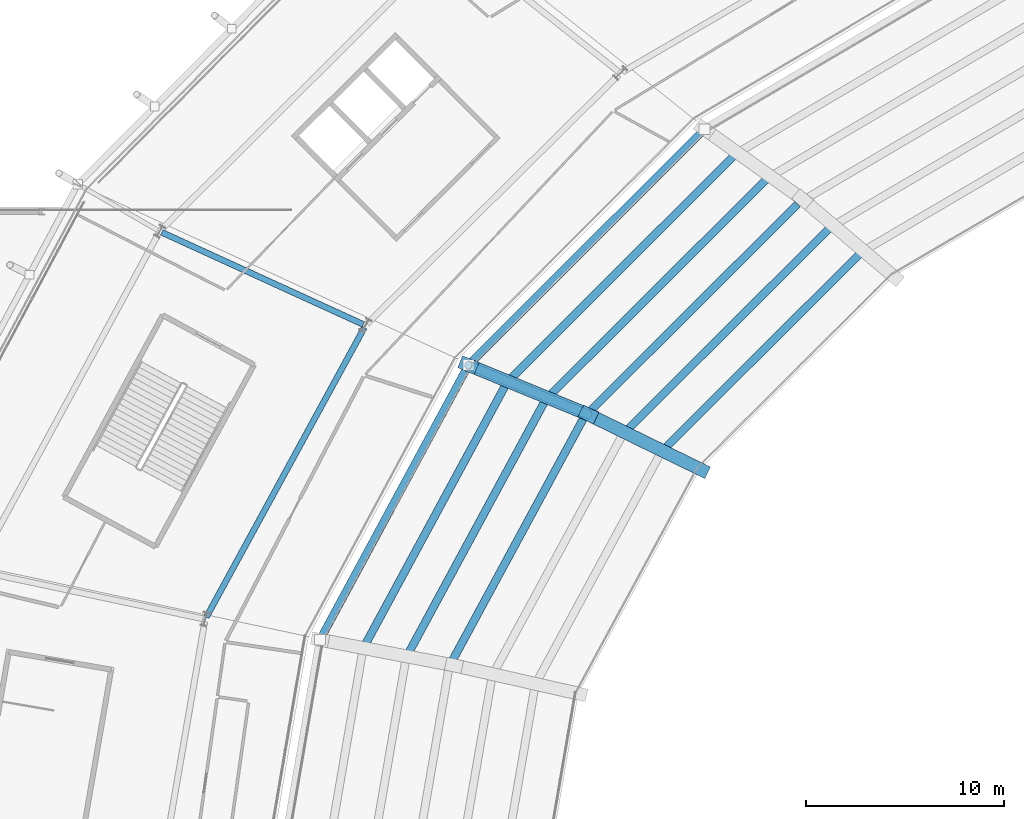
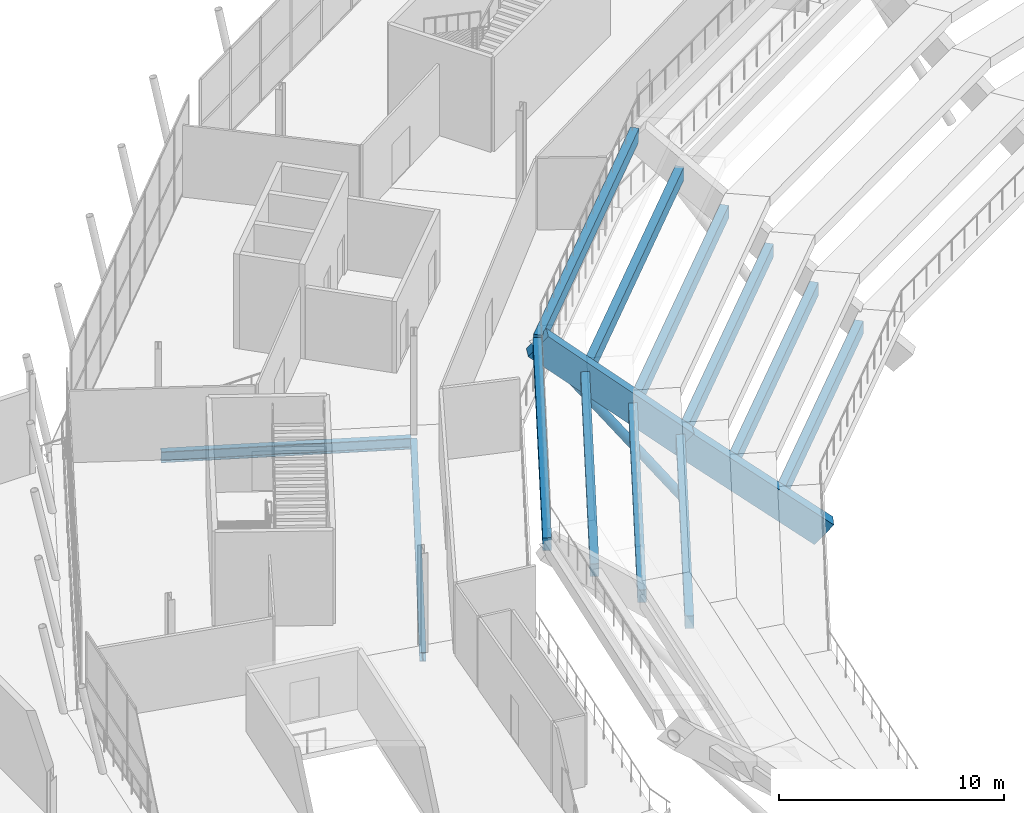
# One storey, part 32 of 126: 14 beams, 1 member.
"""IFC4 building model written with IfcOpenShell, lengths in metres."""

from ifc_helpers import new_model, si_unit, direction, frame, origin, origin_2d, place, context, subcontext, project, spatial, rectangle, hollow_circle, i_section, extrude, material, material_profile, profile_set, type_object, element, save


model = new_model("IFC4")

# Units and contexts
model_context = context("Model", 3, precision=1e-05, world=origin(), true_north=direction((0.0, 1.0)))
body_context = subcontext(model_context, "Body", "Model", "MODEL_VIEW")
ifc_project = project(units=[si_unit("LENGTHUNIT", "METRE"), si_unit("AREAUNIT", "SQUARE_METRE"), si_unit("VOLUMEUNIT", "CUBIC_METRE"), si_unit("PLANEANGLEUNIT", "RADIAN"), si_unit("MASSUNIT", "GRAM", prefix="KILO")], contexts=[model_context])

# Site, building, storey
site_placement = place(None, origin())
site = spatial("IfcSite", under=ifc_project, at=site_placement, CompositionType="ELEMENT")
building_placement = place(site_placement, origin())
building = spatial("IfcBuilding", under=site, at=building_placement, Name="Zlatoyarsky Gate Stadium", CompositionType="ELEMENT")
storey_placement = place(building_placement, frame((0.0, 0.0, 20.800048828125)))
storey = spatial("IfcBuildingStorey", under=building, at=storey_placement, Name="L04", CompositionType="ELEMENT", Elevation=20.800048828125)

# Beams
ifc_material_1 = material(Name="Concrete C40/50", Category="concrete")
ifc_material_profile_1 = material_profile(ifc_material_1, rectangle(XDim=0.39990234375, YDim=0.699951171875, at=origin_2d()), Name="RC BEAM 400X700")
ifc_profile_set_1 = profile_set([ifc_material_profile_1], Name="Concrete C40/50")
beam_type_1 = type_object("IfcBeamType", Name="CONCRETE FLOOR BEAM 400X700", PredefinedType="BEAM", material=ifc_profile_set_1)
beam_1_placement = place(storey_placement, frame((65.85107421875, 114.40087890625, -5.31005859375), z_axis=(-0.708308892536, -0.705902622714, 0.0), x_axis=(0.705902622714, -0.708308892536, 0.0)))
element("IfcBeam", 1, at=beam_1_placement, inside=storey, type_object=beam_type_1, Name="Upper bowl step tie beam 09.1", PredefinedType="BEAM", context=body_context, shape_type="SweptSolid", body=[
    extrude(rectangle(XDim=0.39990234375, YDim=0.699951171875, at=origin_2d()), origin(), (0.0, 0.0, 1.0), 14.10302734375),
])
beam_2_placement = place(storey_placement, frame((64.26025390625, 115.63818359375, -3.41015625), z_axis=(-0.708116890443, -0.706095226913, 0.0), x_axis=(0.706095226913, -0.708116890443, 0.0)))
element("IfcBeam", 2, at=beam_2_placement, inside=storey, type_object=beam_type_1, Name="Upper bowl step tie beam 09.2", PredefinedType="BEAM", context=body_context, shape_type="SweptSolid", body=[
    extrude(rectangle(XDim=0.39990234375, YDim=0.699951171875, at=origin_2d()), origin(), (0.0, 0.0, 1.0), 14.6123046875),
])
beam_3_placement = place(storey_placement, frame((62.669189453125, 116.875732421875, -1.510009765625), z_axis=(-0.707913593092, -0.706299047653, 0.0), x_axis=(0.706299047653, -0.707913593092, 0.0)))
element("IfcBeam", 3, at=beam_3_placement, inside=storey, type_object=beam_type_1, Name="Upper bowl step tie beam 09.3", PredefinedType="BEAM", context=body_context, shape_type="SweptSolid", body=[
    extrude(rectangle(XDim=0.39990234375, YDim=0.699951171875, at=origin_2d()), origin(), (0.0, 0.0, 1.0), 15.121337890625),
])
beam_4_placement = place(storey_placement, frame((61.078125, 118.11328125, 0.389892578125), z_axis=(-0.707723485707, -0.706489538336, 0.0), x_axis=(0.706489538336, -0.707723485707, 0.0)))
element("IfcBeam", 4, at=beam_4_placement, inside=storey, type_object=beam_type_1, Name="Upper bowl step tie beam 09.4", PredefinedType="BEAM", context=body_context, shape_type="SweptSolid", body=[
    extrude(rectangle(XDim=0.39990234375, YDim=0.699951171875, at=origin_2d()), origin(), (0.0, 0.0, 1.0), 15.63037109375),
])
beam_5_placement = place(storey_placement, frame((59.4873046875, 119.3505859375, 2.2900390625), z_axis=(-0.707575559386, -0.706637692003, 0.0), x_axis=(0.706637692003, -0.707575559386, 0.0)))
element("IfcBeam", 5, at=beam_5_placement, inside=storey, type_object=beam_type_1, Name="Upper bowl step tie beam 09.5", PredefinedType="BEAM", context=body_context, shape_type="SweptSolid", body=[
    extrude(rectangle(XDim=0.39990234375, YDim=0.699951171875, at=origin_2d()), origin(), (0.0, 0.0, 1.0), 16.139404296875),
])
beam_6_placement = place(storey_placement, frame((57.896240234375, 120.587890625, 4.18994140625), z_axis=(-0.707414668274, -0.706798759981, 0.0), x_axis=(0.706798759981, -0.707414668274, 0.0)))
element("IfcBeam", 6, at=beam_6_placement, inside=storey, type_object=beam_type_1, Name="Upper bowl step tie beam 09.6", PredefinedType="BEAM", context=body_context, shape_type="SweptSolid", body=[
    extrude(rectangle(XDim=0.39990234375, YDim=0.699951171875, at=origin_2d()), origin(), (0.0, 0.0, 1.0), 16.6484375),
])
beam_7_placement = place(storey_placement, frame((51.84619140625, 106.037109375, -1.510009765625), z_axis=(-0.475860004983, -0.879521037644, 0.0), x_axis=(0.879521037644, -0.475860004983, 0.0)))
element("IfcBeam", 7, at=beam_7_placement, inside=storey, type_object=beam_type_1, Name="Upper bowl step tie beam 10.3", PredefinedType="BEAM", context=body_context, shape_type="SweptSolid", body=[
    extrude(rectangle(XDim=0.39990234375, YDim=0.699951171875, at=origin_2d()), origin(), (0.0, 0.0, 1.0), 14.1279296875),
])
beam_8_placement = place(storey_placement, frame((49.897705078125, 106.912109375, 0.389892578125), z_axis=(-0.475685883609, -0.879615222774, 0.0), x_axis=(0.879615222774, -0.475685883609, 0.0)))
element("IfcBeam", 8, at=beam_8_placement, inside=storey, type_object=beam_type_1, Name="Upper bowl step tie beam 10.4", PredefinedType="BEAM", context=body_context, shape_type="SweptSolid", body=[
    extrude(rectangle(XDim=0.39990234375, YDim=0.699951171875, at=origin_2d()), origin(), (0.0, 0.0, 1.0), 14.606201171875),
])
beam_9_placement = place(storey_placement, frame((47.94921875, 107.787109375, 2.2900390625), z_axis=(-0.475497738566, -0.879716943464, 0.0), x_axis=(0.879716943464, -0.475497738566, 0.0)))
element("IfcBeam", 9, at=beam_9_placement, inside=storey, type_object=beam_type_1, Name="Upper bowl step tie beam 10.5", PredefinedType="BEAM", context=body_context, shape_type="SweptSolid", body=[
    extrude(rectangle(XDim=0.39990234375, YDim=0.699951171875, at=origin_2d()), origin(), (0.0, 0.0, 1.0), 15.08447265625),
])
beam_10_placement = place(storey_placement, frame((46.00048828125, 108.662109375, 4.18994140625), z_axis=(-0.475339838788, -0.879802271912, 0.0), x_axis=(0.879802271912, -0.475339838788, 0.0)))
element("IfcBeam", 10, at=beam_10_placement, inside=storey, type_object=beam_type_1, Name="Upper bowl step tie beam 10.6", PredefinedType="BEAM", context=body_context, shape_type="SweptSolid", body=[
    extrude(rectangle(XDim=0.39990234375, YDim=0.699951171875, at=origin_2d()), origin(), (0.0, 0.0, 1.0), 15.5625),
])
ifc_material_2 = material(Name="Precast concrete C40/50", Category="concrete")
ifc_material_profile_2 = material_profile(ifc_material_2, rectangle(XDim=0.64990234375, YDim=1.35009765625, at=origin_2d()), Name="PC RAKER 650X1350")
ifc_profile_set_2 = profile_set([ifc_material_profile_2], Name="Precast concrete C40/50")
beam_type_2 = type_object("IfcBeamType", Name="PRECAST UPPER BOWL RAKER 650X1350", PredefinedType="USERDEFINED", material=ifc_profile_set_2)
beam_11_placement = place(storey_placement, frame((57.739501953125, 103.5, -6.949951171875), z_axis=(-0.689759179281, 0.336966968618, 0.640847514358), x_axis=(-0.438948714008, -0.898512118154, 0.0)))
element("IfcBeam", 11, at=beam_11_placement, inside=storey, type_object=beam_type_2, Name="Upper bowl radial raker 10 inner", ObjectType="RAKER", PredefinedType="USERDEFINED", context=body_context, shape_type="SweptSolid", body=[
    extrude(rectangle(XDim=0.64990234375, YDim=1.35009765625, at=origin_2d()), origin(), (0.0, 0.0, 1.0), 8.1611328125),
])
beam_12_placement = place(storey_placement, frame((52.1103515625, 106.25, -1.719970703125), z_axis=(-0.686732303107, 0.283199983239, 0.669474804128), x_axis=(-0.381242231727, -0.92447518125, 0.0)))
element("IfcBeam", 12, at=beam_12_placement, inside=storey, type_object=beam_type_2, Name="Upper bowl radial raker 10 outer", ObjectType="RAKER", PredefinedType="USERDEFINED", context=body_context, shape_type="SweptSolid", body=[
    extrude(rectangle(XDim=0.64990234375, YDim=1.35009765625, at=origin_2d()), origin(), (0.0, 0.0, 1.0), 8.82763671875),
])

# Member
ifc_material_3 = material(Name="Steel S355", Category="steel")
ifc_material_profile_3 = material_profile(ifc_material_3, hollow_circle(Radius=0.228515625, WallThickness=0.02490234375, at=origin_2d()), Name="CHS 457X25")
ifc_profile_set_3 = profile_set([ifc_material_profile_3], Name="Steel S355")
member_type = type_object("IfcMemberType", Name="STEEL BACKSPAN TIE STRUT CHS 457X25", PredefinedType="STRUT", material=ifc_profile_set_3)
member_placement = place(storey_placement, frame((52.1103515625, 106.25, -4.85009765625), z_axis=(-0.542825884046, 0.223854740149, 0.809462238108), x_axis=(-0.381242231727, -0.92447518125, 0.0)))
element("IfcMember", 13, at=member_placement, inside=storey, type_object=member_type, Name="Upper tier outer raker prop strut 10", PredefinedType="STRUT", context=body_context, shape_type="SweptSolid", body=[
    extrude(hollow_circle(Radius=0.228515625, WallThickness=0.02490234375, at=origin_2d()), origin(), (0.0, 0.0, 1.0), 11.16796875),
])

# Beams
ifc_material_profile_4 = material_profile(ifc_material_3, i_section(OverallWidth=0.300048828125, OverallDepth=0.5, WebThickness=0.014404296875, FlangeThickness=0.028076171875, FilletRadius=0.027099609375, at=origin_2d()), Name="HEB 500")
ifc_profile_set_4 = profile_set([ifc_material_profile_4], Name="Steel S355")
beam_type_3 = type_object("IfcBeamType", Name="STEEL PRIMARY GIRDER HEB 500", PredefinedType="BEAM", material=ifc_profile_set_4)
beam_13_placement = place(storey_placement, frame((40.79443359375, 110.644775390625, -0.550048828125), z_axis=(-0.478915800408, -0.877860840976, 0.0), x_axis=(0.877860840976, -0.478915800408, 0.0)))
element("IfcBeam", 14, at=beam_13_placement, inside=storey, type_object=beam_type_3, Name="Beam G-HEB500 BM-L04-CRB-10", PredefinedType="BEAM", context=body_context, shape_type="SweptSolid", body=[
    extrude(i_section(OverallWidth=0.300048828125, OverallDepth=0.5, WebThickness=0.014404296875, FlangeThickness=0.028076171875, FilletRadius=0.027099609375, at=origin_2d()), origin(), (0.0, 0.0, 1.0), 16.656494140625),
])
ifc_material_profile_5 = material_profile(ifc_material_3, i_section(OverallWidth=0.300048828125, OverallDepth=0.60009765625, WebThickness=0.015380859375, FlangeThickness=0.030029296875, FilletRadius=0.027099609375, at=origin_2d()), Name="HEB 600")
ifc_profile_set_5 = profile_set([ifc_material_profile_5], Name="Steel S355")
beam_type_4 = type_object("IfcBeamType", Name="STEEL PRIMARY GIRDER HEB 600", PredefinedType="BEAM", material=ifc_profile_set_5)
beam_14_placement = place(storey_placement, frame((40.742919921875, 110.7998046875, -0.60009765625), z_axis=(-0.909498994842, 0.415706120213, 0.0), x_axis=(-0.415706120213, -0.909498994842, 0.0)))
element("IfcBeam", 15, at=beam_14_placement, inside=storey, type_object=beam_type_4, Name="Beam G-HEB600 BM-L04-RBC-10", PredefinedType="BEAM", context=body_context, shape_type="SweptSolid", body=[
    extrude(i_section(OverallWidth=0.300048828125, OverallDepth=0.60009765625, WebThickness=0.015380859375, FlangeThickness=0.030029296875, FilletRadius=0.027099609375, at=origin_2d()), origin(), (0.0, 0.0, 1.0), 11.186767578125),
])

save(model, "model.ifc")
